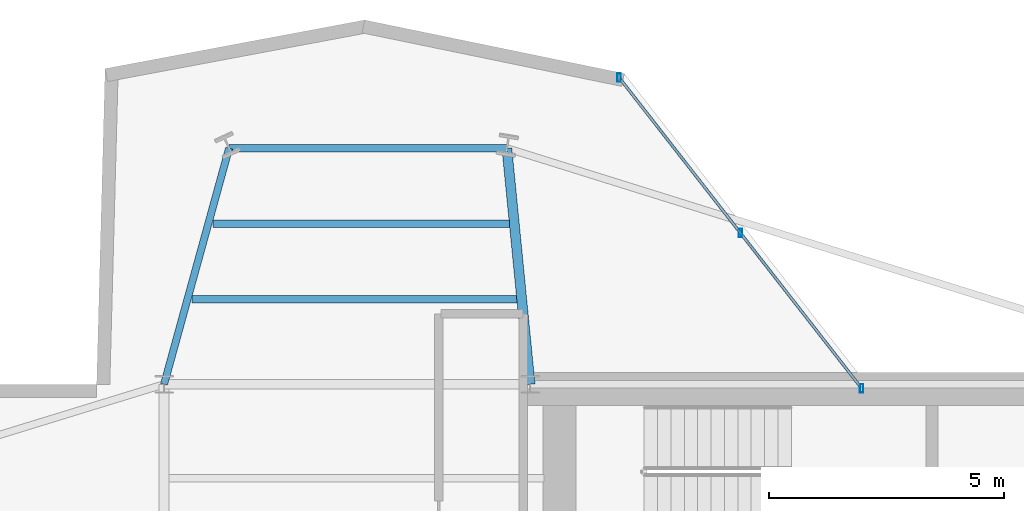
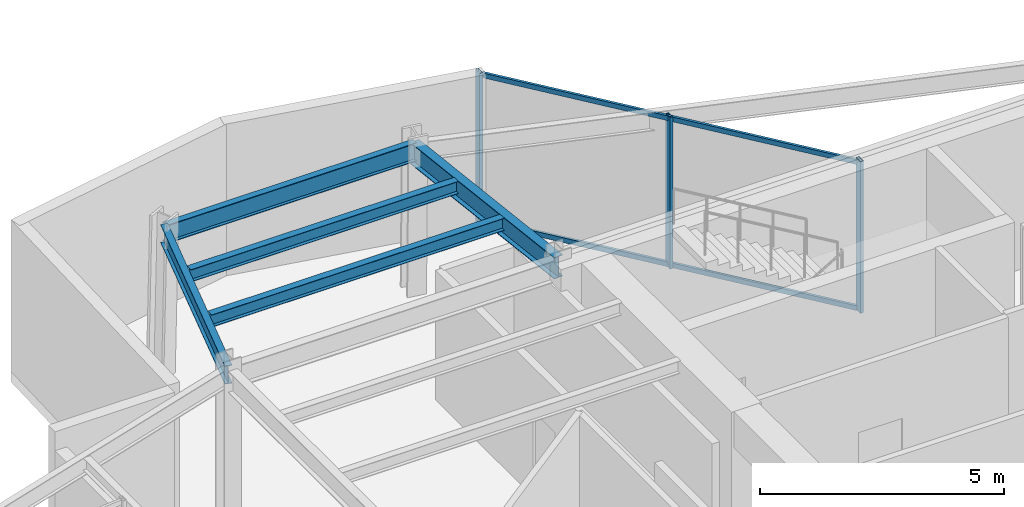
# One storey, part 11 of 20: 5 beams, 5 members, 1 element without a shape of its own.
"""IFC4 building model written with IfcOpenShell, lengths in metres."""

from ifc_helpers import new_model, si_unit, direction, frame, origin, origin_2d, place, context, subcontext, project, spatial, hollow_rectangle, i_section, extrude, material, layer, layer_set, material_profile, profile_set, type_object, element, aggregate, save


model = new_model("IFC4")

# Units and contexts
model_context = context("Model", 3, precision=1e-05, world=origin(), true_north=direction((0.0, 1.0)))
body_context = subcontext(model_context, "Body", "Model", "MODEL_VIEW")
ifc_project = project(units=[si_unit("LENGTHUNIT", "METRE"), si_unit("AREAUNIT", "SQUARE_METRE"), si_unit("VOLUMEUNIT", "CUBIC_METRE"), si_unit("PLANEANGLEUNIT", "RADIAN"), si_unit("MASSUNIT", "GRAM", prefix="KILO")], contexts=[model_context])

# Site, building, storey
site_placement = place(None, origin())
site = spatial("IfcSite", under=ifc_project, at=site_placement, CompositionType="ELEMENT")
building_placement = place(site_placement, origin())
building = spatial("IfcBuilding", under=site, at=building_placement, Name="Veymaron Broadcast Tower", CompositionType="ELEMENT")
storey_placement = place(building_placement, frame((0.0, 0.0, 248.550048828125)))
storey = spatial("IfcBuildingStorey", under=building, at=storey_placement, Name="L58", CompositionType="ELEMENT", Elevation=248.550048828125)

# Beams
ifc_material_1 = material(Name="Structural steel ASTM A992 Gr 50", Category="steel")
ifc_material_profile_1 = material_profile(ifc_material_1, i_section(OverallWidth=0.2099609375, OverallDepth=0.537109375, WebThickness=0.010986328125, FlangeThickness=0.017333984375, at=origin_2d()), Name="W530X101")
ifc_profile_set_1 = profile_set([ifc_material_profile_1], Name="Structural steel ASTM A992 Gr 50")
beam_type_1 = type_object("IfcBeamType", Name="BM-FG3", PredefinedType="BEAM", material=ifc_profile_set_1)
beam_1_placement = place(storey_placement, frame((39.0, 32.0, 3.521484375), z_axis=(-0.097958853778, 0.995190465673, 0.0), x_axis=(-0.995190465673, -0.097958853778, 0.0)))
element("IfcBeam", 1, at=beam_1_placement, inside=storey, type_object=beam_type_1, Name="L58 primary structural floor girder", PredefinedType="BEAM", context=body_context, shape_type="SweptSolid", body=[
    extrude(i_section(OverallWidth=0.2099609375, OverallDepth=0.537109375, WebThickness=0.010986328125, FlangeThickness=0.017333984375, at=origin_2d()), origin(), (0.0, 0.0, 1.0), 5.054443359375),
])
ifc_material_profile_2 = material_profile(ifc_material_1, i_section(OverallWidth=0.1650390625, OverallDepth=0.31005859375, WebThickness=0.005859375, FlangeThickness=0.009765625, at=origin_2d()), Name="W310X39")
ifc_profile_set_2 = profile_set([ifc_material_profile_2], Name="Structural steel ASTM A992 Gr 50")
beam_type_2 = type_object("IfcBeamType", Name="BM-JS3", PredefinedType="JOIST", material=ifc_profile_set_2)
beam_2_placement = place(storey_placement, frame((31.799072265625, 33.810791015625, 3.635009765625), z_axis=(1.0, 0.0, 0.0), x_axis=(0.0, 1.0, 0.0)))
element("IfcBeam", 2, at=beam_2_placement, inside=storey, type_object=beam_type_2, Name="L58 Arm-B secondary joist 1", PredefinedType="JOIST", context=body_context, shape_type="SweptSolid", body=[
    extrude(i_section(OverallWidth=0.1650390625, OverallDepth=0.31005859375, WebThickness=0.005859375, FlangeThickness=0.009765625, at=origin_2d()), origin(), (0.0, 0.0, 1.0), 6.922607421875),
])
beam_3_placement = place(storey_placement, frame((32.242431640625, 35.42041015625, 3.635009765625), z_axis=(1.0, 0.0, 0.0), x_axis=(0.0, 1.0, 0.0)))
element("IfcBeam", 3, at=beam_3_placement, inside=storey, type_object=beam_type_2, Name="L58 Arm-B secondary joist 2", PredefinedType="JOIST", context=body_context, shape_type="SweptSolid", body=[
    extrude(i_section(OverallWidth=0.1650390625, OverallDepth=0.31005859375, WebThickness=0.005859375, FlangeThickness=0.009765625, at=origin_2d()), origin(), (0.0, 0.0, 1.0), 6.321044921875),
])
ifc_material_profile_3 = material_profile(ifc_material_1, i_section(OverallWidth=0.154052734375, OverallDepth=0.458984375, WebThickness=0.009033203125, FlangeThickness=0.015380859375, at=origin_2d()), Name="W460X68")
ifc_profile_set_3 = profile_set([ifc_material_profile_3], Name="Structural steel ASTM A992 Gr 50")
beam_type_3 = type_object("IfcBeamType", Name="BM-SP2", PredefinedType="SPANDREL", material=ifc_profile_set_3)
beam_4_placement = place(storey_placement, frame((31.199951171875, 32.0, 3.560546875), z_axis=(0.265642593914, 0.964071580485, 0.0), x_axis=(-0.964071580485, 0.265642593914, 0.0)))
element("IfcBeam", 4, at=beam_4_placement, inside=storey, type_object=beam_type_3, Name="L58 primary structural floor girder", PredefinedType="SPANDREL", context=body_context, shape_type="SweptSolid", body=[
    extrude(i_section(OverallWidth=0.154052734375, OverallDepth=0.458984375, WebThickness=0.009033203125, FlangeThickness=0.015380859375, at=origin_2d()), origin(), (0.0, 0.0, 1.0), 5.217529296875),
])
beam_5_placement = place(storey_placement, frame((32.5859375, 37.030029296875, 3.560546875), z_axis=(1.0, 0.0, 0.0), x_axis=(0.0, 1.0, 0.0)))
element("IfcBeam", 5, at=beam_5_placement, inside=storey, type_object=beam_type_3, Name="L58 primary structural floor girder", PredefinedType="SPANDREL", context=body_context, shape_type="SweptSolid", body=[
    extrude(i_section(OverallWidth=0.154052734375, OverallDepth=0.458984375, WebThickness=0.009033203125, FlangeThickness=0.015380859375, at=origin_2d()), origin(), (0.0, 0.0, 1.0), 5.9189453125),
])

# Curtain wall, members
ifc_material_2 = material(Name="Anodised aluminium AA 6063-T6 and laminated low-E dark glass", Category="aluminium")
ifc_layer = layer(ifc_material_2, 0.179931640625)
ifc_layer_set = layer_set([ifc_layer], Name="Anodised aluminium AA 6063-T6 and laminated low-E dark glass")
curtain_wall_type = type_object("IfcCurtainWallType", Name="CW-SYS-05", PredefinedType="NOTDEFINED", material=ifc_layer_set)
curtain_wall_placement = place(storey_placement, origin())
curtain_wall = element("IfcCurtainWall", 6, at=curtain_wall_placement, inside=storey, type_object=curtain_wall_type, Name="L58 dark-glass curtain wall CW-L58-E5-1", PredefinedType="NOTDEFINED")
ifc_material_3 = material(Name="Anodised aluminium AA 6063-T6", Category="aluminium")
ifc_material_profile_4 = material_profile(ifc_material_3, hollow_rectangle(XDim=0.074951171875, YDim=0.179931640625, WallThickness=0.0048828125, at=origin_2d()), Name="AL180X75X5")
ifc_profile_set_4 = profile_set([ifc_material_profile_4], Name="Anodised aluminium AA 6063-T6")
member_type_1 = type_object("IfcMemberType", Name="CW-MUL-02", PredefinedType="MULLION", material=ifc_profile_set_4)
member_1_placement = place(storey_placement, frame((46.065185546875, 31.913818359375, 0.0), z_axis=(0.0, 0.0, 1.0), x_axis=(1.0, 0.0, 0.0)))
member_1 = element("IfcMember", 7, at=member_1_placement, type_object=member_type_1, Name="CW-L58-E5-1 mullion 0", PredefinedType="MULLION", context=body_context, shape_type="SweptSolid", body=[
    extrude(hollow_rectangle(XDim=0.074951171875, YDim=0.179931640625, WallThickness=0.0048828125, at=origin_2d()), origin(), (0.0, 0.0, 1.0), 3.7900390625),
])
member_2_placement = place(storey_placement, frame((43.48046875, 35.2255859375, 0.0), z_axis=(0.0, 0.0, 1.0), x_axis=(1.0, 0.0, 0.0)))
member_2 = element("IfcMember", 8, at=member_2_placement, type_object=member_type_1, Name="CW-L58-E5-1 mullion 1", PredefinedType="MULLION", context=body_context, shape_type="SweptSolid", body=[
    extrude(hollow_rectangle(XDim=0.074951171875, YDim=0.179931640625, WallThickness=0.0048828125, at=origin_2d()), origin(), (0.0, 0.0, 1.0), 3.7900390625),
])
member_3_placement = place(storey_placement, frame((40.8955078125, 38.537109375, 0.0), z_axis=(0.0, 0.0, 1.0), x_axis=(1.0, 0.0, 0.0)))
member_3 = element("IfcMember", 9, at=member_3_placement, type_object=member_type_1, Name="CW-L58-E5-1 mullion 2", PredefinedType="MULLION", context=body_context, shape_type="SweptSolid", body=[
    extrude(hollow_rectangle(XDim=0.074951171875, YDim=0.179931640625, WallThickness=0.0048828125, at=origin_2d()), origin(), (0.0, 0.0, 1.0), 3.7900390625),
])
ifc_material_profile_5 = material_profile(ifc_material_3, hollow_rectangle(XDim=0.06005859375, YDim=0.1201171875, WallThickness=0.00390625, at=origin_2d()), Name="AL120X60X4")
ifc_profile_set_5 = profile_set([ifc_material_profile_5], Name="Anodised aluminium AA 6063-T6")
member_type_2 = type_object("IfcMemberType", Name="CW-TRN-02", PredefinedType="USERDEFINED", material=ifc_profile_set_5)
member_4_placement = place(storey_placement, frame((46.034423828125, 31.953369140625, 0.070068359375), z_axis=(-0.615275312806, 0.788312304516, 0.0), x_axis=(-0.788312304516, -0.615275312806, 0.0)))
member_4 = element("IfcMember", 10, at=member_4_placement, type_object=member_type_2, Name="CW-L58-E5-1 transom B", ObjectType="TRANSOM", PredefinedType="USERDEFINED", context=body_context, shape_type="SweptSolid", body=[
    extrude(hollow_rectangle(XDim=0.06005859375, YDim=0.1201171875, WallThickness=0.00390625, at=origin_2d()), origin(), (0.0, 0.0, 1.0), 8.3017578125),
])
member_5_placement = place(storey_placement, frame((46.034423828125, 31.953369140625, 3.719970703125), z_axis=(-0.615275312806, 0.788312304516, 0.0), x_axis=(-0.788312304516, -0.615275312806, 0.0)))
member_5 = element("IfcMember", 11, at=member_5_placement, type_object=member_type_2, Name="CW-L58-E5-1 transom T", ObjectType="TRANSOM", PredefinedType="USERDEFINED", context=body_context, shape_type="SweptSolid", body=[
    extrude(hollow_rectangle(XDim=0.06005859375, YDim=0.1201171875, WallThickness=0.00390625, at=origin_2d()), origin(), (0.0, 0.0, 1.0), 8.3017578125),
])
aggregate(curtain_wall, [member_1, member_2, member_3, member_4, member_5])

save(model, "model.ifc")
